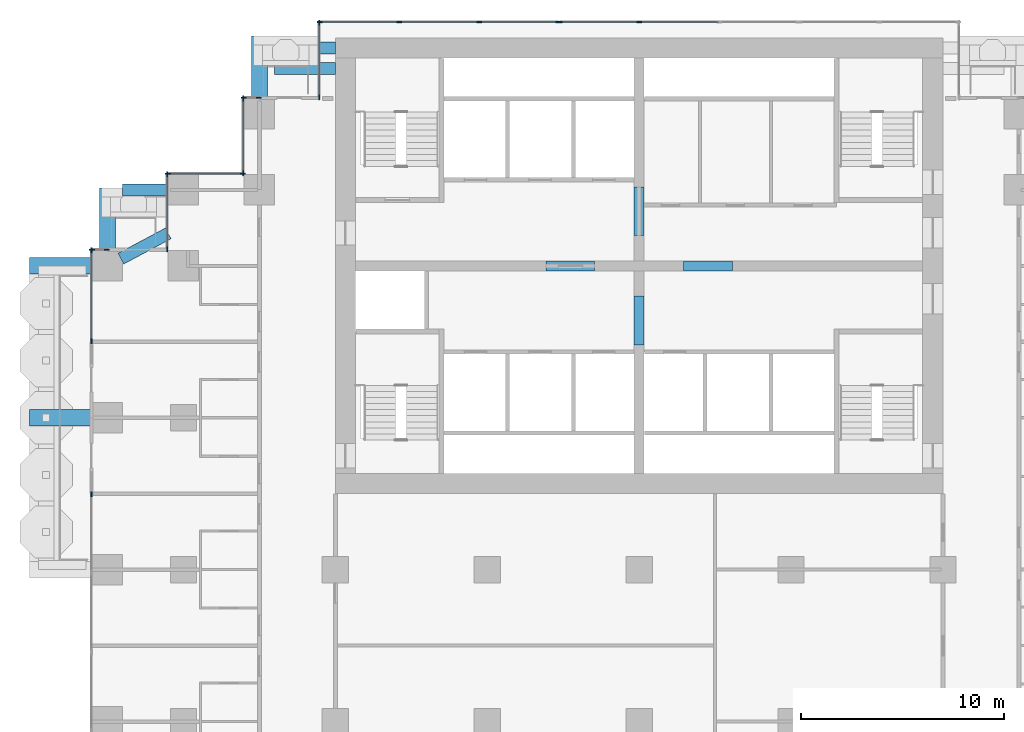
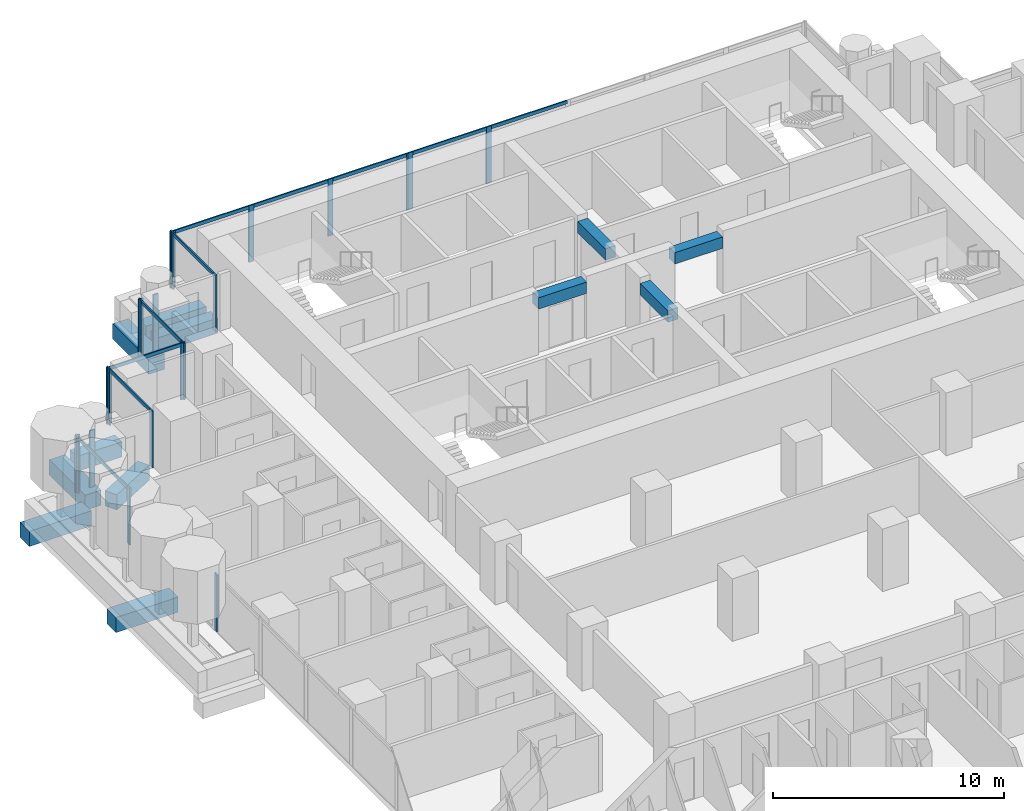
# One storey, part 5 of 19: 31 members, 12 beams, 10 elements without a shape of their own.
"""IFC4 building model written with IfcOpenShell, lengths in metres."""

from ifc_helpers import new_model, si_unit, direction, frame, origin, origin_2d, place, context, subcontext, project, spatial, rectangle, extrude, material, material_profile, profile_set, type_object, element, aggregate, save


model = new_model("IFC4")

# Units and contexts
model_context = context("Model", 3, precision=1e-05, world=origin(), true_north=direction((0.0, 1.0)))
body_context = subcontext(model_context, "Body", "Model", "MODEL_VIEW")
ifc_project = project(units=[si_unit("LENGTHUNIT", "METRE"), si_unit("AREAUNIT", "SQUARE_METRE"), si_unit("VOLUMEUNIT", "CUBIC_METRE"), si_unit("PLANEANGLEUNIT", "RADIAN"), si_unit("MASSUNIT", "GRAM", prefix="KILO")], contexts=[model_context])

# Site, building, storey
site_placement = place(None, origin())
site = spatial("IfcSite", under=ifc_project, at=site_placement, CompositionType="ELEMENT")
building_placement = place(site_placement, origin())
building = spatial("IfcBuilding", under=site, at=building_placement, Name="Pilkhan Gate Tower", CompositionType="ELEMENT")
storey_placement = place(building_placement, frame((0.0, 0.0, 62.60009765625)))
storey = spatial("IfcBuildingStorey", under=building, at=storey_placement, Name="L13", CompositionType="ELEMENT", Elevation=62.60009765625)

# Beams
ifc_material_1 = material(Name="Concrete C50/60", Category="concrete")
ifc_material_profile_1 = material_profile(ifc_material_1, rectangle(XDim=0.60009765625, YDim=0.800048828125, at=origin_2d()), Name="RC 600x800")
ifc_profile_set_1 = profile_set([ifc_material_profile_1], Name="Concrete C50/60")
beam_type_1 = type_object("IfcBeamType", Name="Cantilever beam CB1 RC 600x800 C50/60", PredefinedType="BEAM", material=ifc_profile_set_1)
for number, where, z_axis, x_axis, name in (
    (1, (60.0, 93.25, -0.7001953125), (-1.0, 0.0, 0.0), (0.0, -1.0, 0.0), "Balcony beam NW.2 L13"),
    (2, (60.0, 92.25, -0.7001953125), (-1.0, 0.0, 0.0), (0.0, -1.0, 0.0), "Balcony beam NW.3 L13"),
):
    element("IfcBeam", number, at=place(storey_placement, frame(where, z_axis=z_axis, x_axis=x_axis)), inside=storey, type_object=beam_type_1, Name=name, PredefinedType="BEAM", context=body_context, shape_type="SweptSolid", body=[
        extrude(rectangle(XDim=0.60009765625, YDim=0.800048828125, at=origin_2d()), origin(), (0.0, 0.0, 1.0), 3.0),
    ])
beam_1_placement = place(storey_placement, frame((51.75, 86.25, -0.7001953125), z_axis=(-1.0, 0.0, 0.0), x_axis=(0.0, -1.0, 0.0)))
element("IfcBeam", 3, at=beam_1_placement, inside=storey, type_object=beam_type_1, Name="Balcony beam NW2.2 L13", PredefinedType="BEAM", context=body_context, shape_type="SweptSolid", body=[
    extrude(rectangle(XDim=0.60009765625, YDim=0.800048828125, at=origin_2d()), origin(), (0.0, 0.0, 1.0), 2.25),
])
beam_2_placement = place(storey_placement, frame((49.411865234375, 82.85302734375, -0.7001953125), z_axis=(0.882342739565, 0.470607362817, 0.0), x_axis=(-0.470607362817, 0.882342739565, 0.0)))
element("IfcBeam", 4, at=beam_2_placement, inside=storey, type_object=beam_type_1, Name="Balcony beam NW2.3 L13", PredefinedType="BEAM", context=body_context, shape_type="SweptSolid", body=[
    extrude(rectangle(XDim=0.60009765625, YDim=0.800048828125, at=origin_2d()), origin(), (0.0, 0.0, 1.0), 2.64990234375),
])
ifc_material_profile_2 = material_profile(ifc_material_1, rectangle(XDim=0.800048828125, YDim=0.800048828125, at=origin_2d()), Name="RC 800x800")
ifc_profile_set_2 = profile_set([ifc_material_profile_2], Name="Concrete C50/60")
beam_type_2 = type_object("IfcBeamType", Name="Cantilever beam CB2 RC 800x800 C50/60", PredefinedType="BEAM", material=ifc_profile_set_2)
for number, where, z_axis, x_axis, name in (
    (5, (56.25, 90.75, -0.7001953125), (0.0, 1.0, 0.0), (-1.0, 0.0, 0.0), "Balcony beam NW.1 L13"),
    (6, (48.75, 83.25, -0.7001953125), (0.0, 1.0, 0.0), (-1.0, 0.0, 0.0), "Balcony beam NW2.1 L13"),
    (7, (48.0, 75.0, -0.7001953125), (-1.0, 0.0, 0.0), (0.0, -1.0, 0.0), "Balcony beam W.2 L13"),
    (8, (48.0, 82.5, -0.7001953125), (-1.0, 0.0, 0.0), (0.0, -1.0, 0.0), "Balcony beam W.3 L13"),
):
    element("IfcBeam", number, at=place(storey_placement, frame(where, z_axis=z_axis, x_axis=x_axis)), inside=storey, type_object=beam_type_2, Name=name, PredefinedType="BEAM", context=body_context, shape_type="SweptSolid", body=[
        extrude(rectangle(XDim=0.800048828125, YDim=0.800048828125, at=origin_2d()), origin(), (0.0, 0.0, 1.0), 3.10009765625),
    ])
ifc_material_2 = material(Name="Concrete C70/85", Category="concrete")
ifc_material_profile_3 = material_profile(ifc_material_2, rectangle(XDim=0.5, YDim=0.60009765625, at=origin_2d()), Name="RC 500x600")
ifc_profile_set_3 = profile_set([ifc_material_profile_3], Name="Concrete C70/85")
beam_type_3 = type_object("IfcBeamType", Name="Coupling beam CB60 RC 500x600 C70/85", PredefinedType="LINTEL", material=ifc_profile_set_3)
for number, where, z_axis, x_axis, name in (
    (9, (70.39990234375, 82.5, 2.699951171875), (1.0, 0.0, 0.0), (0.0, 1.0, 0.0), "Coupling beam 1 L13"),
    (10, (77.199951171875, 82.5, 2.699951171875), (1.0, 0.0, 0.0), (0.0, 1.0, 0.0), "Coupling beam 2 L13"),
):
    element("IfcBeam", number, at=place(storey_placement, frame(where, z_axis=z_axis, x_axis=x_axis)), inside=storey, type_object=beam_type_3, Name=name, PredefinedType="LINTEL", context=body_context, shape_type="SweptSolid", body=[
        extrude(rectangle(XDim=0.5, YDim=0.60009765625, at=origin_2d()), origin(), (0.0, 0.0, 1.0), 2.400146484375),
    ])
for number, where, z_axis, x_axis, name in (
    (11, (75.0, 78.60009765625, 2.699951171875), (0.0, 1.0, 0.0), (-1.0, 0.0, 0.0), "Coupling beam 3 L13"),
    (12, (75.0, 84.0, 2.699951171875), (0.0, 1.0, 0.0), (-1.0, 0.0, 0.0), "Coupling beam 4 L13"),
):
    element("IfcBeam", number, at=place(storey_placement, frame(where, z_axis=z_axis, x_axis=x_axis)), inside=storey, type_object=beam_type_3, Name=name, PredefinedType="LINTEL", context=body_context, shape_type="SweptSolid", body=[
        extrude(rectangle(XDim=0.5, YDim=0.60009765625, at=origin_2d()), origin(), (0.0, 0.0, 1.0), 2.39990234375),
    ])

# Curtain wall, members
ifc_material_3 = material(Name="Pale anodised aluminium, clear low-iron double glazing", Category="aluminium")
curtain_wall_type = type_object("IfcCurtainWallType", Name="Hotel unitised curtain wall CW-H", PredefinedType="USERDEFINED", material=ifc_material_3)
curtain_wall_1_placement = place(storey_placement, origin())
curtain_wall_1 = element("IfcCurtainWall", 13, at=curtain_wall_1_placement, inside=storey, type_object=curtain_wall_type, Name="Hotel unitised curtain wall CW-H L13 N", ObjectType="UNITISED CURTAIN WALL", PredefinedType="USERDEFINED")
ifc_material_4 = material(Name="Pale anodised aluminium", Category="aluminium")
ifc_material_profile_4 = material_profile(ifc_material_4, rectangle(XDim=0.06494140625, YDim=0.25, at=origin_2d()), Name="Mullion 250x65")
ifc_profile_set_4 = profile_set([ifc_material_profile_4], Name="Pale anodised aluminium")
member_type_1 = type_object("IfcMemberType", Name="Mullion CW-H 250x65", PredefinedType="MULLION", material=ifc_profile_set_4)
member_1_placement = place(storey_placement, frame((59.237548828125, 94.544921875, 0.0), z_axis=(0.0, 0.0, 1.0), x_axis=(0.0, 1.0, 0.0)))
member_1 = element("IfcMember", 14, at=member_1_placement, type_object=member_type_1, Name="CW-H mullion 1", PredefinedType="MULLION", context=body_context, shape_type="SweptSolid", body=[
    extrude(rectangle(XDim=0.06494140625, YDim=0.25, at=origin_2d()), origin(), (0.0, 0.0, 1.0), 3.0),
])
member_2_placement = place(storey_placement, frame((63.15380859375, 94.544921875, 0.0), z_axis=(0.0, 0.0, 1.0), x_axis=(0.0, 1.0, 0.0)))
member_2 = element("IfcMember", 15, at=member_2_placement, type_object=member_type_1, Name="CW-H mullion 2", PredefinedType="MULLION", context=body_context, shape_type="SweptSolid", body=[
    extrude(rectangle(XDim=0.06494140625, YDim=0.25, at=origin_2d()), origin(), (0.0, 0.0, 1.0), 3.0),
])
member_3_placement = place(storey_placement, frame((67.1025390625, 94.544921875, 0.0), z_axis=(0.0, 0.0, 1.0), x_axis=(0.0, 1.0, 0.0)))
member_3 = element("IfcMember", 16, at=member_3_placement, type_object=member_type_1, Name="CW-H mullion 3", PredefinedType="MULLION", context=body_context, shape_type="SweptSolid", body=[
    extrude(rectangle(XDim=0.06494140625, YDim=0.25, at=origin_2d()), origin(), (0.0, 0.0, 1.0), 3.0),
])
member_4_placement = place(storey_placement, frame((71.018798828125, 94.544921875, 0.0), z_axis=(0.0, 0.0, 1.0), x_axis=(0.0, 1.0, 0.0)))
member_4 = element("IfcMember", 17, at=member_4_placement, type_object=member_type_1, Name="CW-H mullion 4", PredefinedType="MULLION", context=body_context, shape_type="SweptSolid", body=[
    extrude(rectangle(XDim=0.06494140625, YDim=0.25, at=origin_2d()), origin(), (0.0, 0.0, 1.0), 3.0),
])

curtain_wall_2_placement = place(storey_placement, origin())
curtain_wall_2 = element("IfcCurtainWall", 18, at=curtain_wall_2_placement, inside=storey, type_object=curtain_wall_type, Name="Hotel unitised curtain wall CW-H L13 N", ObjectType="UNITISED CURTAIN WALL", PredefinedType="USERDEFINED")
member_5_placement = place(storey_placement, frame((71.083740234375, 94.544921875, 0.0), z_axis=(0.0, 0.0, 1.0), x_axis=(0.0, 1.0, 0.0)))
member_5 = element("IfcMember", 19, at=member_5_placement, type_object=member_type_1, Name="CW-H mullion 1", PredefinedType="MULLION", context=body_context, shape_type="SweptSolid", body=[
    extrude(rectangle(XDim=0.06494140625, YDim=0.25, at=origin_2d()), origin(), (0.0, 0.0, 1.0), 3.0),
])
member_6_placement = place(storey_placement, frame((75.0, 94.544921875, 0.0), z_axis=(0.0, 0.0, 1.0), x_axis=(0.0, 1.0, 0.0)))
member_6 = element("IfcMember", 20, at=member_6_placement, type_object=member_type_1, Name="CW-H mullion 2", PredefinedType="MULLION", context=body_context, shape_type="SweptSolid", body=[
    extrude(rectangle(XDim=0.06494140625, YDim=0.25, at=origin_2d()), origin(), (0.0, 0.0, 1.0), 3.0),
])

curtain_wall_3_placement = place(storey_placement, origin())
curtain_wall_3 = element("IfcCurtainWall", 21, at=curtain_wall_3_placement, inside=storey, type_object=curtain_wall_type, Name="Hotel unitised curtain wall CW-H L13 W", ObjectType="UNITISED CURTAIN WALL", PredefinedType="USERDEFINED")
member_7_placement = place(storey_placement, frame((59.205078125, 90.827392578125, 0.0), z_axis=(0.0, 0.0, 1.0), x_axis=(-1.0, 0.0, 0.0)))
member_7 = element("IfcMember", 22, at=member_7_placement, type_object=member_type_1, Name="CW-H mullion 1", PredefinedType="MULLION", context=body_context, shape_type="SweptSolid", body=[
    extrude(rectangle(XDim=0.06494140625, YDim=0.25, at=origin_2d()), origin(), (0.0, 0.0, 1.0), 3.0),
])
member_8_placement = place(storey_placement, frame((59.205078125, 94.512451171875, 0.0), z_axis=(0.0, 0.0, 1.0), x_axis=(-1.0, 0.0, 0.0)))
member_8 = element("IfcMember", 23, at=member_8_placement, type_object=member_type_1, Name="CW-H mullion 2", PredefinedType="MULLION", context=body_context, shape_type="SweptSolid", body=[
    extrude(rectangle(XDim=0.06494140625, YDim=0.25, at=origin_2d()), origin(), (0.0, 0.0, 1.0), 3.0),
])

curtain_wall_4_placement = place(storey_placement, origin())
curtain_wall_4 = element("IfcCurtainWall", 24, at=curtain_wall_4_placement, inside=storey, type_object=curtain_wall_type, Name="Hotel unitised curtain wall CW-H L13 N", ObjectType="UNITISED CURTAIN WALL", PredefinedType="USERDEFINED")
member_9_placement = place(storey_placement, frame((55.487548828125, 90.794921875, 0.0), z_axis=(0.0, 0.0, 1.0), x_axis=(0.0, 1.0, 0.0)))
member_9 = element("IfcMember", 25, at=member_9_placement, type_object=member_type_1, Name="CW-H mullion 1", PredefinedType="MULLION", context=body_context, shape_type="SweptSolid", body=[
    extrude(rectangle(XDim=0.06494140625, YDim=0.25, at=origin_2d()), origin(), (0.0, 0.0, 1.0), 3.0),
])
member_10_placement = place(storey_placement, frame((56.217529296875, 90.794921875, 0.0), z_axis=(0.0, 0.0, 1.0), x_axis=(0.0, 1.0, 0.0)))
member_10 = element("IfcMember", 26, at=member_10_placement, type_object=member_type_1, Name="CW-H mullion 2", PredefinedType="MULLION", context=body_context, shape_type="SweptSolid", body=[
    extrude(rectangle(XDim=0.06494140625, YDim=0.25, at=origin_2d()), origin(), (0.0, 0.0, 1.0), 3.0),
])
aggregate(curtain_wall_4, [member_9, member_10])

curtain_wall_5_placement = place(storey_placement, origin())
curtain_wall_5 = element("IfcCurtainWall", 27, at=curtain_wall_5_placement, inside=storey, type_object=curtain_wall_type, Name="Hotel unitised curtain wall CW-H L13 W", ObjectType="UNITISED CURTAIN WALL", PredefinedType="USERDEFINED")
member_11_placement = place(storey_placement, frame((55.455078125, 87.077392578125, 0.0), z_axis=(0.0, 0.0, 1.0), x_axis=(-1.0, 0.0, 0.0)))
member_11 = element("IfcMember", 28, at=member_11_placement, type_object=member_type_1, Name="CW-H mullion 1", PredefinedType="MULLION", context=body_context, shape_type="SweptSolid", body=[
    extrude(rectangle(XDim=0.06494140625, YDim=0.25, at=origin_2d()), origin(), (0.0, 0.0, 1.0), 3.0),
])
member_12_placement = place(storey_placement, frame((55.455078125, 90.762451171875, 0.0), z_axis=(0.0, 0.0, 1.0), x_axis=(-1.0, 0.0, 0.0)))
member_12 = element("IfcMember", 29, at=member_12_placement, type_object=member_type_1, Name="CW-H mullion 2", PredefinedType="MULLION", context=body_context, shape_type="SweptSolid", body=[
    extrude(rectangle(XDim=0.06494140625, YDim=0.25, at=origin_2d()), origin(), (0.0, 0.0, 1.0), 3.0),
])

curtain_wall_6_placement = place(storey_placement, origin())
curtain_wall_6 = element("IfcCurtainWall", 30, at=curtain_wall_6_placement, inside=storey, type_object=curtain_wall_type, Name="Hotel unitised curtain wall CW-H L13 N", ObjectType="UNITISED CURTAIN WALL", PredefinedType="USERDEFINED")
member_13_placement = place(storey_placement, frame((51.737548828125, 87.044921875, 0.0), z_axis=(0.0, 0.0, 1.0), x_axis=(0.0, 1.0, 0.0)))
member_13 = element("IfcMember", 31, at=member_13_placement, type_object=member_type_1, Name="CW-H mullion 1", PredefinedType="MULLION", context=body_context, shape_type="SweptSolid", body=[
    extrude(rectangle(XDim=0.06494140625, YDim=0.25, at=origin_2d()), origin(), (0.0, 0.0, 1.0), 3.0),
])
member_14_placement = place(storey_placement, frame((55.422607421875, 87.044921875, 0.0), z_axis=(0.0, 0.0, 1.0), x_axis=(0.0, 1.0, 0.0)))
member_14 = element("IfcMember", 32, at=member_14_placement, type_object=member_type_1, Name="CW-H mullion 2", PredefinedType="MULLION", context=body_context, shape_type="SweptSolid", body=[
    extrude(rectangle(XDim=0.06494140625, YDim=0.25, at=origin_2d()), origin(), (0.0, 0.0, 1.0), 3.0),
])

curtain_wall_7_placement = place(storey_placement, origin())
curtain_wall_7 = element("IfcCurtainWall", 33, at=curtain_wall_7_placement, inside=storey, type_object=curtain_wall_type, Name="Hotel unitised curtain wall CW-H L13 W", ObjectType="UNITISED CURTAIN WALL", PredefinedType="USERDEFINED")
member_15_placement = place(storey_placement, frame((51.705078125, 83.327392578125, 0.0), z_axis=(0.0, 0.0, 1.0), x_axis=(-1.0, 0.0, 0.0)))
member_15 = element("IfcMember", 34, at=member_15_placement, type_object=member_type_1, Name="CW-H mullion 1", PredefinedType="MULLION", context=body_context, shape_type="SweptSolid", body=[
    extrude(rectangle(XDim=0.06494140625, YDim=0.25, at=origin_2d()), origin(), (0.0, 0.0, 1.0), 3.0),
])
member_16_placement = place(storey_placement, frame((51.705078125, 87.012451171875, 0.0), z_axis=(0.0, 0.0, 1.0), x_axis=(-1.0, 0.0, 0.0)))
member_16 = element("IfcMember", 35, at=member_16_placement, type_object=member_type_1, Name="CW-H mullion 2", PredefinedType="MULLION", context=body_context, shape_type="SweptSolid", body=[
    extrude(rectangle(XDim=0.06494140625, YDim=0.25, at=origin_2d()), origin(), (0.0, 0.0, 1.0), 3.0),
])

curtain_wall_8_placement = place(storey_placement, origin())
curtain_wall_8 = element("IfcCurtainWall", 36, at=curtain_wall_8_placement, inside=storey, type_object=curtain_wall_type, Name="Hotel unitised curtain wall CW-H L13 N", ObjectType="UNITISED CURTAIN WALL", PredefinedType="USERDEFINED")
member_17_placement = place(storey_placement, frame((47.987548828125, 83.294921875, 0.0), z_axis=(0.0, 0.0, 1.0), x_axis=(0.0, 1.0, 0.0)))
member_17 = element("IfcMember", 37, at=member_17_placement, type_object=member_type_1, Name="CW-H mullion 1", PredefinedType="MULLION", context=body_context, shape_type="SweptSolid", body=[
    extrude(rectangle(XDim=0.06494140625, YDim=0.25, at=origin_2d()), origin(), (0.0, 0.0, 1.0), 3.0),
])
member_18_placement = place(storey_placement, frame((48.717529296875, 83.294921875, 0.0), z_axis=(0.0, 0.0, 1.0), x_axis=(0.0, 1.0, 0.0)))
member_18 = element("IfcMember", 38, at=member_18_placement, type_object=member_type_1, Name="CW-H mullion 2", PredefinedType="MULLION", context=body_context, shape_type="SweptSolid", body=[
    extrude(rectangle(XDim=0.06494140625, YDim=0.25, at=origin_2d()), origin(), (0.0, 0.0, 1.0), 3.0),
])
aggregate(curtain_wall_8, [member_17, member_18])

# Curtain wall, member
curtain_wall_9_placement = place(storey_placement, origin())
curtain_wall_9 = element("IfcCurtainWall", 39, at=curtain_wall_9_placement, inside=storey, type_object=curtain_wall_type, Name="Hotel unitised curtain wall CW-H L13 W", ObjectType="UNITISED CURTAIN WALL", PredefinedType="USERDEFINED")
member_19_placement = place(storey_placement, frame((47.955078125, 71.217529296875, 0.0), z_axis=(0.0, 0.0, 1.0), x_axis=(-1.0, 0.0, 0.0)))
member_19 = element("IfcMember", 40, at=member_19_placement, type_object=member_type_1, Name="CW-H mullion 3", PredefinedType="MULLION", context=body_context, shape_type="SweptSolid", body=[
    extrude(rectangle(XDim=0.06494140625, YDim=0.25, at=origin_2d()), origin(), (0.0, 0.0, 1.0), 3.0),
])
aggregate(curtain_wall_9, [member_19])

# Curtain wall, members
curtain_wall_10_placement = place(storey_placement, origin())
curtain_wall_10 = element("IfcCurtainWall", 41, at=curtain_wall_10_placement, inside=storey, type_object=curtain_wall_type, Name="Hotel unitised curtain wall CW-H L13 W", ObjectType="UNITISED CURTAIN WALL", PredefinedType="USERDEFINED")
member_20_placement = place(storey_placement, frame((47.955078125, 78.782470703125, 0.0), z_axis=(0.0, 0.0, 1.0), x_axis=(-1.0, 0.0, 0.0)))
member_20 = element("IfcMember", 42, at=member_20_placement, type_object=member_type_1, Name="CW-H mullion 1", PredefinedType="MULLION", context=body_context, shape_type="SweptSolid", body=[
    extrude(rectangle(XDim=0.06494140625, YDim=0.25, at=origin_2d()), origin(), (0.0, 0.0, 1.0), 3.0),
])
member_21_placement = place(storey_placement, frame((47.955078125, 83.262451171875, 0.0), z_axis=(0.0, 0.0, 1.0), x_axis=(-1.0, 0.0, 0.0)))
member_21 = element("IfcMember", 43, at=member_21_placement, type_object=member_type_1, Name="CW-H mullion 2", PredefinedType="MULLION", context=body_context, shape_type="SweptSolid", body=[
    extrude(rectangle(XDim=0.06494140625, YDim=0.25, at=origin_2d()), origin(), (0.0, 0.0, 1.0), 3.0),
])

# Member
ifc_material_profile_5 = material_profile(ifc_material_4, rectangle(XDim=0.06494140625, YDim=0.179931640625, at=origin_2d()), Name="Transom 180x65")
ifc_profile_set_5 = profile_set([ifc_material_profile_5], Name="Pale anodised aluminium")
member_type_2 = type_object("IfcMemberType", Name="Transom CW-H 180x65", PredefinedType="USERDEFINED", material=ifc_profile_set_5)
member_22_placement = place(storey_placement, frame((59.27001953125, 94.544921875, 2.909912109375), z_axis=(1.0, 0.0, 0.0), x_axis=(0.0, 1.0, 0.0)))
member_22 = element("IfcMember", 44, at=member_22_placement, type_object=member_type_2, Name="CW-H transom 1", ObjectType="TRANSOM", PredefinedType="USERDEFINED", context=body_context, shape_type="SweptSolid", body=[
    extrude(rectangle(XDim=0.06494140625, YDim=0.179931640625, at=origin_2d()), origin(), (0.0, 0.0, 1.0), 3.851318359375),
])

member_23_placement = place(storey_placement, frame((63.186279296875, 94.544921875, 2.909912109375), z_axis=(1.0, 0.0, 0.0), x_axis=(0.0, 1.0, 0.0)))
member_23 = element("IfcMember", 45, at=member_23_placement, type_object=member_type_2, Name="CW-H transom 2", ObjectType="TRANSOM", PredefinedType="USERDEFINED", context=body_context, shape_type="SweptSolid", body=[
    extrude(rectangle(XDim=0.06494140625, YDim=0.179931640625, at=origin_2d()), origin(), (0.0, 0.0, 1.0), 3.8837890625),
])

member_24_placement = place(storey_placement, frame((67.135009765625, 94.544921875, 2.909912109375), z_axis=(1.0, 0.0, 0.0), x_axis=(0.0, 1.0, 0.0)))
member_24 = element("IfcMember", 46, at=member_24_placement, type_object=member_type_2, Name="CW-H transom 3", ObjectType="TRANSOM", PredefinedType="USERDEFINED", context=body_context, shape_type="SweptSolid", body=[
    extrude(rectangle(XDim=0.06494140625, YDim=0.179931640625, at=origin_2d()), origin(), (0.0, 0.0, 1.0), 3.851318359375),
])

aggregate(curtain_wall_1, [member_1, member_2, member_3, member_4, member_22, member_23, member_24])

member_25_placement = place(storey_placement, frame((71.1162109375, 94.544921875, 2.909912109375), z_axis=(1.0, 0.0, 0.0), x_axis=(0.0, 1.0, 0.0)))
member_25 = element("IfcMember", 47, at=member_25_placement, type_object=member_type_2, Name="CW-H transom 1", ObjectType="TRANSOM", PredefinedType="USERDEFINED", context=body_context, shape_type="SweptSolid", body=[
    extrude(rectangle(XDim=0.06494140625, YDim=0.179931640625, at=origin_2d()), origin(), (0.0, 0.0, 1.0), 3.851318359375),
])

member_26_placement = place(storey_placement, frame((75.032470703125, 94.544921875, 2.909912109375), z_axis=(1.0, 0.0, 0.0), x_axis=(0.0, 1.0, 0.0)))
member_26 = element("IfcMember", 48, at=member_26_placement, type_object=member_type_2, Name="CW-H transom 2", ObjectType="TRANSOM", PredefinedType="USERDEFINED", context=body_context, shape_type="SweptSolid", body=[
    extrude(rectangle(XDim=0.06494140625, YDim=0.179931640625, at=origin_2d()), origin(), (0.0, 0.0, 1.0), 3.8837890625),
])

aggregate(curtain_wall_2, [member_5, member_6, member_25, member_26])

member_27_placement = place(storey_placement, frame((59.205078125, 90.860107421875, 2.909912109375), z_axis=(0.0, 1.0, 0.0), x_axis=(-1.0, 0.0, 0.0)))
member_27 = element("IfcMember", 49, at=member_27_placement, type_object=member_type_2, Name="CW-H transom 1", ObjectType="TRANSOM", PredefinedType="USERDEFINED", context=body_context, shape_type="SweptSolid", body=[
    extrude(rectangle(XDim=0.06494140625, YDim=0.179931640625, at=origin_2d()), origin(), (0.0, 0.0, 1.0), 3.619873046875),
])

aggregate(curtain_wall_3, [member_7, member_8, member_27])

member_28_placement = place(storey_placement, frame((55.455078125, 87.110107421875, 2.909912109375), z_axis=(0.0, 1.0, 0.0), x_axis=(-1.0, 0.0, 0.0)))
member_28 = element("IfcMember", 50, at=member_28_placement, type_object=member_type_2, Name="CW-H transom 1", ObjectType="TRANSOM", PredefinedType="USERDEFINED", context=body_context, shape_type="SweptSolid", body=[
    extrude(rectangle(XDim=0.06494140625, YDim=0.179931640625, at=origin_2d()), origin(), (0.0, 0.0, 1.0), 3.619873046875),
])

aggregate(curtain_wall_5, [member_11, member_12, member_28])

member_29_placement = place(storey_placement, frame((51.77001953125, 87.044921875, 2.909912109375), z_axis=(1.0, 0.0, 0.0), x_axis=(0.0, 1.0, 0.0)))
member_29 = element("IfcMember", 51, at=member_29_placement, type_object=member_type_2, Name="CW-H transom 1", ObjectType="TRANSOM", PredefinedType="USERDEFINED", context=body_context, shape_type="SweptSolid", body=[
    extrude(rectangle(XDim=0.06494140625, YDim=0.179931640625, at=origin_2d()), origin(), (0.0, 0.0, 1.0), 3.619873046875),
])

aggregate(curtain_wall_6, [member_13, member_14, member_29])

member_30_placement = place(storey_placement, frame((51.705078125, 83.360107421875, 2.909912109375), z_axis=(0.0, 1.0, 0.0), x_axis=(-1.0, 0.0, 0.0)))
member_30 = element("IfcMember", 52, at=member_30_placement, type_object=member_type_2, Name="CW-H transom 1", ObjectType="TRANSOM", PredefinedType="USERDEFINED", context=body_context, shape_type="SweptSolid", body=[
    extrude(rectangle(XDim=0.06494140625, YDim=0.179931640625, at=origin_2d()), origin(), (0.0, 0.0, 1.0), 3.619873046875),
])

aggregate(curtain_wall_7, [member_15, member_16, member_30])

member_31_placement = place(storey_placement, frame((47.955078125, 78.81494140625, 2.909912109375), z_axis=(0.0, 1.0, 0.0), x_axis=(-1.0, 0.0, 0.0)))
member_31 = element("IfcMember", 53, at=member_31_placement, type_object=member_type_2, Name="CW-H transom 1", ObjectType="TRANSOM", PredefinedType="USERDEFINED", context=body_context, shape_type="SweptSolid", body=[
    extrude(rectangle(XDim=0.06494140625, YDim=0.179931640625, at=origin_2d()), origin(), (0.0, 0.0, 1.0), 4.4150390625),
])

aggregate(curtain_wall_10, [member_20, member_21, member_31])

save(model, "model.ifc")
